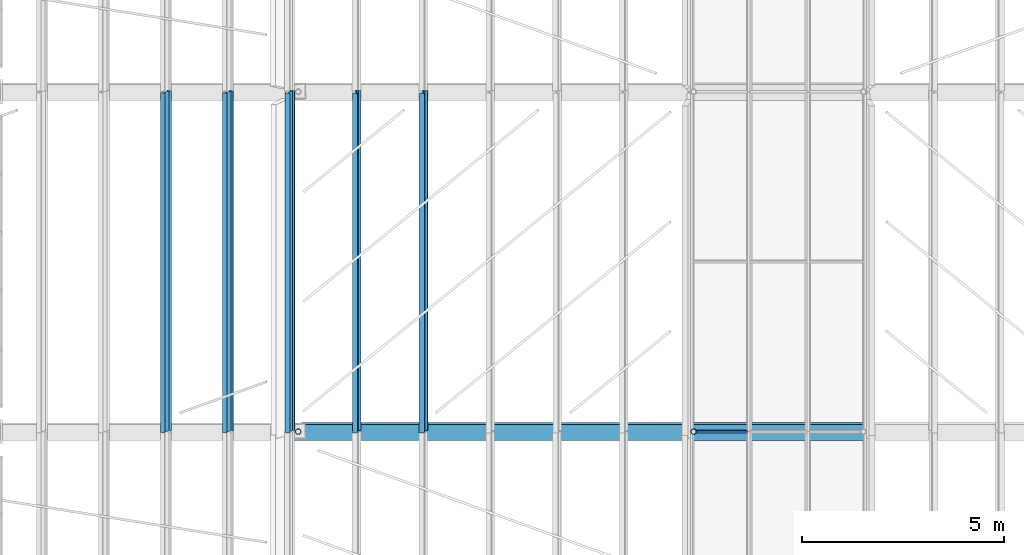
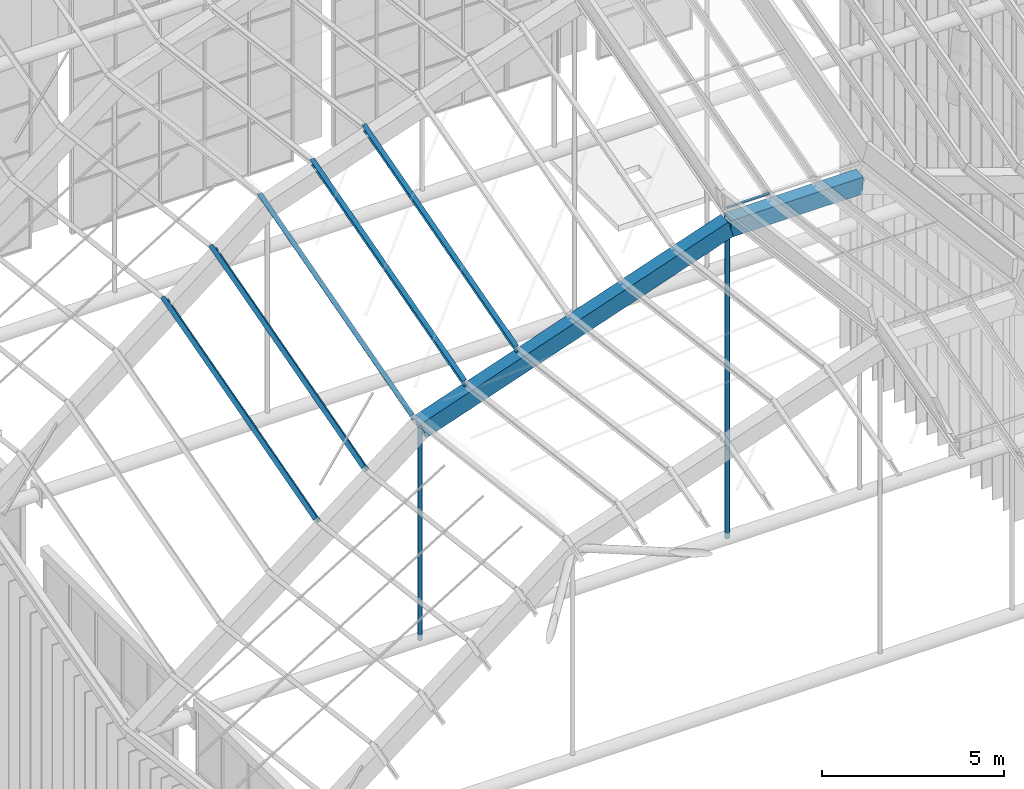
# One storey, part 24 of 126: 8 members, 2 beams.
"""IFC4 building model written with IfcOpenShell, lengths in metres."""

from ifc_helpers import new_model, si_unit, direction, frame, origin, origin_2d, place, context, subcontext, project, spatial, polyline, rectangle, hollow_circle, i_section, outline, extrude, material, material_profile, profile_set, type_object, element, save


model = new_model("IFC4")

# Units and contexts
model_context = context("Model", 3, precision=1e-05, world=origin(), true_north=direction((0.0, 1.0)))
body_context = subcontext(model_context, "Body", "Model", "MODEL_VIEW")
ifc_project = project(units=[si_unit("LENGTHUNIT", "METRE"), si_unit("AREAUNIT", "SQUARE_METRE"), si_unit("VOLUMEUNIT", "CUBIC_METRE"), si_unit("PLANEANGLEUNIT", "RADIAN"), si_unit("MASSUNIT", "GRAM", prefix="KILO")], contexts=[model_context])

# Site, building, storey
site_placement = place(None, origin())
site = spatial("IfcSite", under=ifc_project, at=site_placement, CompositionType="ELEMENT")
building_placement = place(site_placement, origin())
building = spatial("IfcBuilding", under=site, at=building_placement, Name="Sava Quay Ferry Terminal", CompositionType="ELEMENT")
storey_placement = place(building_placement, frame((0.0, 0.0, 15.0)))
storey = spatial("IfcBuildingStorey", under=building, at=storey_placement, Name="L03", CompositionType="ELEMENT", Elevation=15.0)

# Beams
ifc_material_1 = material(Name="Steel S355", Category="steel")
ifc_material_profile_1 = material_profile(ifc_material_1, outline(polyline([(-0.199951171875, -0.300048828125), (0.199951171875, -0.300048828125), (0.199951171875, 0.300048828125), (-0.199951171875, 0.300048828125), (-0.199951171875, -0.300048828125)]), holes=[polyline([(-0.175048828125, -0.27490234375), (-0.175048828125, 0.27490234375), (0.175048828125, 0.27490234375), (0.175048828125, -0.27490234375), (-0.175048828125, -0.27490234375)])]), Name="Box 600x400x25 built-up")
ifc_profile_set_1 = profile_set([ifc_material_profile_1], Name="Steel S355")
beam_type = type_object("IfcBeamType", Name="D folded rib Box 600x400x25", PredefinedType="BEAM", material=ifc_profile_set_1)
beam_1_placement = place(storey_placement, frame((51.1298828125, 67.199951171875, 16.84716796875), z_axis=(0.945520775213, 0.0, 0.325561766247), x_axis=(-0.02317123021, 0.997463981395, 0.06729561583)))
element("IfcBeam", 1, at=beam_1_placement, inside=storey, type_object=beam_type, Name="Departure hall folded rib R2 seg 2", PredefinedType="BEAM", context=body_context, shape_type="SweptSolid", body=[
    extrude(outline(polyline([(-0.199951171875, -0.300048828125), (0.199951171875, -0.300048828125), (0.199951171875, 0.300048828125), (-0.199951171875, 0.300048828125), (-0.199951171875, -0.300048828125)]), holes=[polyline([(-0.175048828125, -0.27490234375), (-0.175048828125, 0.27490234375), (0.175048828125, 0.27490234375), (0.175048828125, -0.27490234375), (-0.175048828125, -0.27490234375)])]), origin(), (0.0, 0.0, 1.0), 10.3330078125),
])
beam_2_placement = place(storey_placement, frame((60.89990234375, 67.199951171875, 20.211181640625), z_axis=(1.0, 0.0, 0.0), x_axis=(0.0, 0.997187837043, 0.074942762518)))
element("IfcBeam", 2, at=beam_2_placement, inside=storey, type_object=beam_type, Name="Departure hall folded rib R2 seg 3", PredefinedType="BEAM", context=body_context, shape_type="SweptSolid", body=[
    extrude(outline(polyline([(-0.199951171875, -0.300048828125), (0.199951171875, -0.300048828125), (0.199951171875, 0.300048828125), (-0.199951171875, 0.300048828125), (-0.199951171875, -0.300048828125)]), holes=[polyline([(-0.175048828125, -0.27490234375), (-0.175048828125, 0.27490234375), (0.175048828125, 0.27490234375), (0.175048828125, -0.27490234375), (-0.175048828125, -0.27490234375)])]), origin(), (0.0, 0.0, 1.0), 4.2001953125),
])

# Members
ifc_material_2 = material(Name="Aluminium EN AW-6063 T6", Category="aluminium")
ifc_material_profile_2 = material_profile(ifc_material_2, rectangle(XDim=0.06005859375, YDim=0.06005859375, at=origin_2d()), Name="Bar 60 x 60")
ifc_profile_set_2 = profile_set([ifc_material_profile_2], Name="Aluminium EN AW-6063 T6")
member_type_1 = type_object("IfcMemberType", Name="Glazing bar 60x60", PredefinedType="USERDEFINED", material=ifc_profile_set_2)
member_1_placement = place(storey_placement, frame((60.8798828125, 67.199951171875, 20.81298828125), z_axis=(1.0, 0.0, 0.0), x_axis=(0.0, 0.962815070048, 0.270161323822)))
element("IfcMember", 3, at=member_1_placement, inside=storey, type_object=member_type_1, Name="Departure hall glazing bar D-R2-GT2.0", ObjectType="GLAZING BAR", PredefinedType="USERDEFINED", context=body_context, shape_type="SweptSolid", body=[
    extrude(rectangle(XDim=0.06005859375, YDim=0.06005859375, at=origin_2d()), origin(), (0.0, 0.0, 1.0), 1.356689453125),
])
ifc_material_3 = material(Name="Steel S355", Category="steel")
ifc_material_profile_3 = material_profile(ifc_material_3, i_section(OverallWidth=0.135009765625, OverallDepth=0.27001953125, WebThickness=0.006591796875, FlangeThickness=0.01025390625, at=origin_2d()), Name="IPE 270")
ifc_profile_set_3 = profile_set([ifc_material_profile_3], Name="Steel S355")
member_type_2 = type_object("IfcMemberType", Name="Roof purlin IPE 270", PredefinedType="PURLIN", material=ifc_profile_set_3)
for number, where, z_axis, x_axis, name in (
    (4, (47.863037109375, 67.199951171875, 14.860107421875), (0.0, 0.962818275279, 0.270149900588), (-0.799142410931, 0.162398384779, -0.578790265703), "Departure hall purlin bay 3 M0.4"),
    (5, (49.394287109375, 67.199951171875, 16.056396484375), (0.0, 0.962818275279, 0.270149900588), (-0.799142410931, 0.162398384779, -0.578790265703), "Departure hall purlin bay 3 M0.5"),
    (6, (50.925537109375, 67.199951171875, 17.252685546875), (0.0, 0.962818275279, 0.270149900588), (-0.885826064608, 0.12535426489, -0.446764469866), "Departure hall purlin bay 3 V1"),
    (7, (52.576171875, 67.199951171875, 17.821044921875), (0.0, 0.962818275279, 0.270149900588), (-0.949197315574, 0.08501118009, -0.302981113877), "Departure hall purlin bay 3 M1.1"),
    (8, (54.226806640625, 67.199951171875, 18.389404296875), (0.0, 0.962810996405, 0.270175841262), (-0.949197315574, 0.085019343141, -0.30297882335), "Departure hall purlin bay 3 M1.2"),
):
    element("IfcMember", number, at=place(storey_placement, frame(where, z_axis=z_axis, x_axis=x_axis)), inside=storey, type_object=member_type_2, Name=name, PredefinedType="PURLIN", context=body_context, shape_type="SweptSolid", body=[
        extrude(i_section(OverallWidth=0.135009765625, OverallDepth=0.27001953125, WebThickness=0.006591796875, FlangeThickness=0.01025390625, at=origin_2d()), origin(), (0.0, 0.0, 1.0), 8.724609375),
    ])
ifc_material_4 = material(Name="Steel S355", Category="steel")
ifc_material_profile_4 = material_profile(ifc_material_4, hollow_circle(Radius=0.06982421875, WallThickness=0.008056640625, at=origin_2d()), Name="CHS 139.7 x 8.0")
ifc_profile_set_4 = profile_set([ifc_material_profile_4], Name="Steel S355")
member_type_3 = type_object("IfcMemberType", Name="Tie hanger CHS 139.7x8", PredefinedType="USERDEFINED", material=ifc_profile_set_4)
member_2_placement = place(storey_placement, frame((51.1298828125, 67.199951171875, 9.714111328125), z_axis=(0.0, 0.0, 1.0), x_axis=(1.0, 0.0, 0.0)))
element("IfcMember", 9, at=member_2_placement, inside=storey, type_object=member_type_3, Name="Departure hall tie hanger R2 V1", ObjectType="TIE HANGER", PredefinedType="USERDEFINED", context=body_context, shape_type="SweptSolid", body=[
    extrude(hollow_circle(Radius=0.06982421875, WallThickness=0.008056640625, at=origin_2d()), origin(), (0.0, 0.0, 1.0), 7.133056640625),
])
member_3_placement = place(storey_placement, frame((60.89990234375, 67.199951171875, 9.714111328125), z_axis=(0.0, 0.0, 1.0), x_axis=(1.0, 0.0, 0.0)))
element("IfcMember", 10, at=member_3_placement, inside=storey, type_object=member_type_3, Name="Departure hall tie hanger R2 V2", ObjectType="TIE HANGER", PredefinedType="USERDEFINED", context=body_context, shape_type="SweptSolid", body=[
    extrude(hollow_circle(Radius=0.06982421875, WallThickness=0.008056640625, at=origin_2d()), origin(), (0.0, 0.0, 1.0), 10.4970703125),
])

save(model, "model.ifc")
